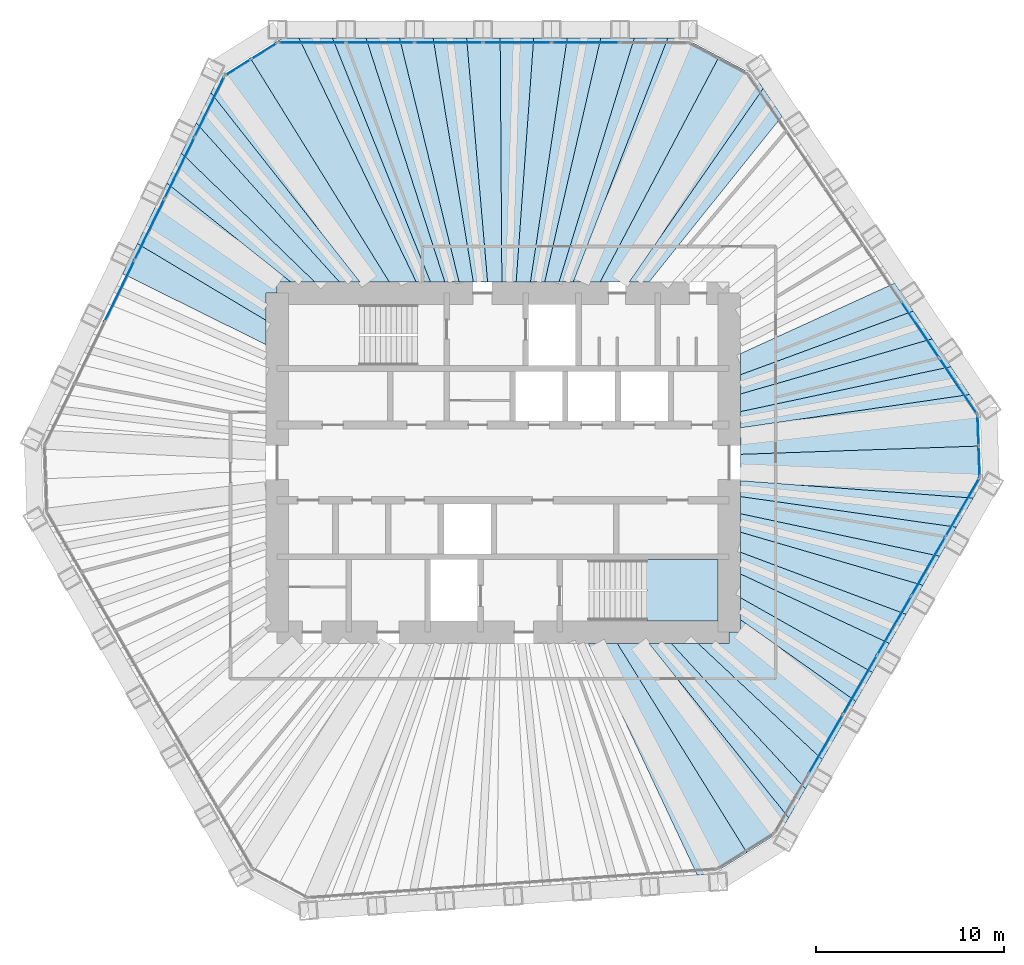
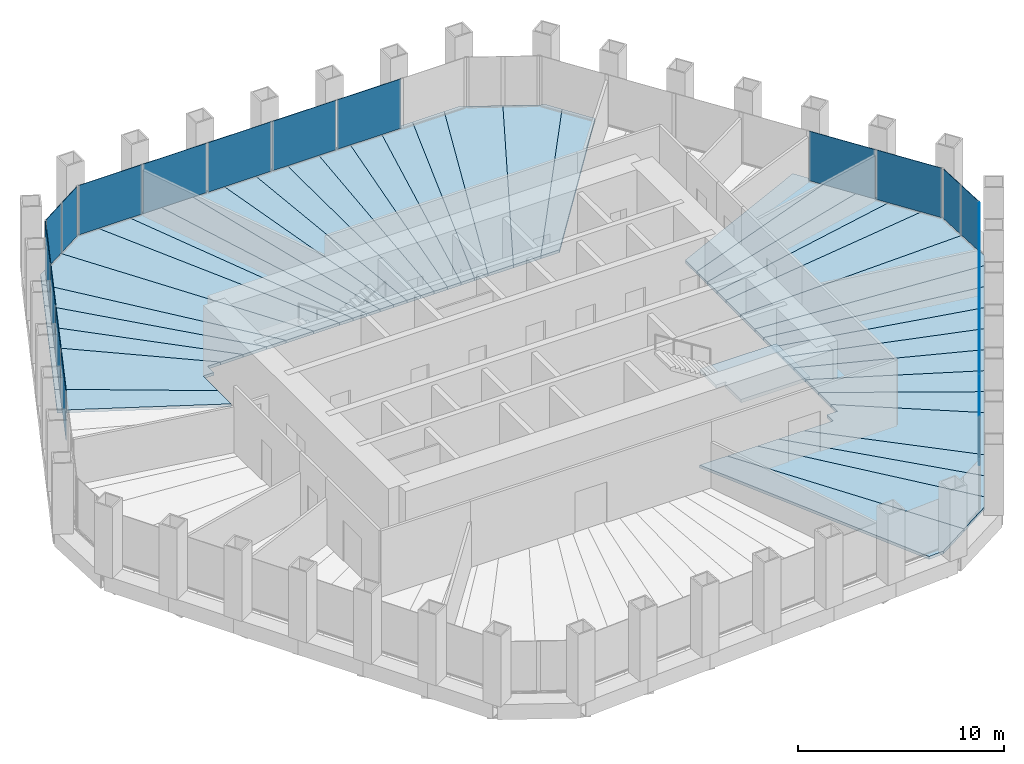
# One storey, part 8 of 12: 40 slabs, 20 plates, 7 elements without a shape of their own.
"""IFC4 building model written with IfcOpenShell, lengths in metres."""

from ifc_helpers import new_model, si_unit, direction, frame, origin, origin_2d, place, context, subcontext, project, spatial, polyline, rectangle, outline, extrude, material, layer, layer_set, type_object, element, aggregate, save


model = new_model("IFC4")

# Units and contexts
model_context = context("Model", 3, precision=1e-05, world=origin(), true_north=direction((0.0, 1.0)))
body_context = subcontext(model_context, "Body", "Model", "MODEL_VIEW")
ifc_project = project(units=[si_unit("LENGTHUNIT", "METRE"), si_unit("AREAUNIT", "SQUARE_METRE"), si_unit("VOLUMEUNIT", "CUBIC_METRE"), si_unit("PLANEANGLEUNIT", "RADIAN"), si_unit("MASSUNIT", "GRAM", prefix="KILO")], contexts=[model_context])

# Site, building, storey
site_placement = place(None, origin())
site = spatial("IfcSite", under=ifc_project, at=site_placement, CompositionType="ELEMENT")
building_placement = place(site_placement, origin())
building = spatial("IfcBuilding", under=site, at=building_placement, Name="Qingtian Harvest Tower", CompositionType="ELEMENT")
storey_placement = place(building_placement, frame((0.0, 0.0, 251.800048828125)))
storey = spatial("IfcBuildingStorey", under=building, at=storey_placement, Name="L55", CompositionType="ELEMENT", Elevation=251.800048828125)

# Slabs
ifc_material_1 = material(Name="Concrete fc' 35 MPa", Category="concrete")
ifc_layer_1 = layer(ifc_material_1, 0.169921875)
ifc_layer_set_1 = layer_set([ifc_layer_1], Name="Composite floor slab FS17 170")
slab_type_1 = type_object("IfcSlabType", Name="Composite floor slab FS17 170", PredefinedType="FLOOR", material=ifc_layer_set_1)
slab_1_placement = place(storey_placement, frame((0.0, 0.0, -0.170166015625)))
element("IfcSlab", 1, at=slab_1_placement, inside=storey, type_object=slab_type_1, Name="Floor slab L55 panel D26", PredefinedType="FLOOR", context=body_context, shape_type="SweptSolid", body=[
    extrude(outline(polyline([(4.5185546875, -9.60009765625), (6.059326171875, -9.60009765625), (12.94140625, -20.70703125), (11.142578125, -21.830810546875), (10.30029296875, -21.889892578125), (4.5185546875, -9.60009765625)])), origin(), (0.0, 0.0, 1.0), 0.170166015625),
])
slab_2_placement = place(storey_placement, frame((0.0, 0.0, -0.170166015625)))
element("IfcSlab", 2, at=slab_2_placement, inside=storey, type_object=slab_type_1, Name="Floor slab L55 panel D27", PredefinedType="FLOOR", context=body_context, shape_type="SweptSolid", body=[
    extrude(outline(polyline([(6.059326171875, -9.60009765625), (7.740966796875, -9.60009765625), (15.159423828125, -18.853271484375), (14.73681640625, -19.5849609375), (12.94140625, -20.70703125), (6.059326171875, -9.60009765625)])), origin(), (0.0, 0.0, 1.0), 0.170166015625),
])
slab_3_placement = place(storey_placement, frame((0.0, 0.0, -0.170166015625)))
element("IfcSlab", 3, at=slab_3_placement, inside=storey, type_object=slab_type_1, Name="Floor slab L55 panel D28", PredefinedType="FLOOR", context=body_context, shape_type="SweptSolid", body=[
    extrude(outline(polyline([(8.929443359375, -9.60009765625), (16.05029296875, -17.31005859375), (15.159423828125, -18.853271484375), (7.740966796875, -9.60009765625), (8.929443359375, -9.60009765625)])), origin(), (0.0, 0.0, 1.0), 0.170166015625),
])
slab_4_placement = place(storey_placement, frame((0.0, 0.0, -0.170166015625)))
element("IfcSlab", 4, at=slab_4_placement, inside=storey, type_object=slab_type_1, Name="Floor slab L55 panel D29", PredefinedType="FLOOR", context=body_context, shape_type="SweptSolid", body=[
    extrude(outline(polyline([(10.35205078125, -9.60009765625), (16.94140625, -15.766845703125), (16.05029296875, -17.31005859375), (8.929443359375, -9.60009765625), (10.35205078125, -9.60009765625)])), origin(), (0.0, 0.0, 1.0), 0.170166015625),
])
slab_5_placement = place(storey_placement, frame((0.0, 0.0, -0.170166015625)))
element("IfcSlab", 5, at=slab_5_placement, inside=storey, type_object=slab_type_1, Name="Floor slab L55 panel D31", PredefinedType="FLOOR", context=body_context, shape_type="SweptSolid", body=[
    extrude(outline(polyline([(12.60009765625, -8.33984375), (18.726806640625, -12.674072265625), (16.94140625, -15.766845703125), (10.35205078125, -9.60009765625), (12.0, -9.60009765625), (12.0, -9.0), (12.60009765625, -9.0), (12.60009765625, -8.33984375)])), origin(), (0.0, 0.0, 1.0), 0.170166015625),
])
slab_6_placement = place(storey_placement, frame((0.0, 0.0, -0.170166015625)))
element("IfcSlab", 6, at=slab_6_placement, inside=storey, type_object=slab_type_1, Name="Floor slab L55 panel D32", PredefinedType="FLOOR", context=body_context, shape_type="SweptSolid", body=[
    extrude(outline(polyline([(12.60009765625, -7.171142578125), (19.61279296875, -11.1396484375), (18.726806640625, -12.674072265625), (12.60009765625, -8.33984375), (12.60009765625, -7.171142578125)])), origin(), (0.0, 0.0, 1.0), 0.170166015625),
])
slab_7_placement = place(storey_placement, frame((0.0, 0.0, -0.170166015625)))
element("IfcSlab", 7, at=slab_7_placement, inside=storey, type_object=slab_type_1, Name="Floor slab L55 panel D33", PredefinedType="FLOOR", context=body_context, shape_type="SweptSolid", body=[
    extrude(outline(polyline([(12.60009765625, -5.91015625), (20.503662109375, -9.5966796875), (19.61279296875, -11.1396484375), (12.60009765625, -7.171142578125), (12.60009765625, -5.91015625)])), origin(), (0.0, 0.0, 1.0), 0.170166015625),
])
slab_8_placement = place(storey_placement, frame((0.0, 0.0, -0.170166015625)))
element("IfcSlab", 8, at=slab_8_placement, inside=storey, type_object=slab_type_1, Name="Floor slab L55 panel D34", PredefinedType="FLOOR", context=body_context, shape_type="SweptSolid", body=[
    extrude(outline(polyline([(12.60009765625, -4.75439453125), (21.39453125, -8.0537109375), (20.503662109375, -9.5966796875), (12.60009765625, -5.91015625), (12.60009765625, -4.75439453125)])), origin(), (0.0, 0.0, 1.0), 0.170166015625),
])
slab_9_placement = place(storey_placement, frame((0.0, 0.0, -0.170166015625)))
element("IfcSlab", 9, at=slab_9_placement, inside=storey, type_object=slab_type_1, Name="Floor slab L55 panel D35", PredefinedType="FLOOR", context=body_context, shape_type="SweptSolid", body=[
    extrude(outline(polyline([(12.60009765625, -3.691162109375), (22.285400390625, -6.5107421875), (21.39453125, -8.0537109375), (12.60009765625, -4.75439453125), (12.60009765625, -3.691162109375)])), origin(), (0.0, 0.0, 1.0), 0.170166015625),
])
slab_10_placement = place(storey_placement, frame((0.0, 0.0, -0.170166015625)))
element("IfcSlab", 10, at=slab_10_placement, inside=storey, type_object=slab_type_1, Name="Floor slab L55 panel D36", PredefinedType="FLOOR", context=body_context, shape_type="SweptSolid", body=[
    extrude(outline(polyline([(12.60009765625, -2.709716796875), (23.17626953125, -4.9677734375), (22.285400390625, -6.5107421875), (12.60009765625, -3.691162109375), (12.60009765625, -2.709716796875)])), origin(), (0.0, 0.0, 1.0), 0.170166015625),
])
slab_11_placement = place(storey_placement, frame((0.0, 0.0, -0.170166015625)))
element("IfcSlab", 11, at=slab_11_placement, inside=storey, type_object=slab_type_1, Name="Floor slab L55 panel D37", PredefinedType="FLOOR", context=body_context, shape_type="SweptSolid", body=[
    extrude(outline(polyline([(12.60009765625, -1.801025390625), (24.06689453125, -3.4248046875), (23.17626953125, -4.9677734375), (12.60009765625, -2.709716796875), (12.60009765625, -1.801025390625)])), origin(), (0.0, 0.0, 1.0), 0.170166015625),
])
slab_12_placement = place(storey_placement, frame((0.0, 0.0, -0.170166015625)))
element("IfcSlab", 12, at=slab_12_placement, inside=storey, type_object=slab_type_1, Name="Floor slab L55 panel D38", PredefinedType="FLOOR", context=body_context, shape_type="SweptSolid", body=[
    extrude(outline(polyline([(12.60009765625, -0.95703125), (24.957763671875, -1.8818359375), (24.06689453125, -3.4248046875), (12.60009765625, -1.801025390625), (12.60009765625, -0.95703125)])), origin(), (0.0, 0.0, 1.0), 0.170166015625),
])
slab_13_placement = place(storey_placement, frame((0.0, 0.0, -0.170166015625)))
element("IfcSlab", 13, at=slab_13_placement, inside=storey, type_object=slab_type_1, Name="Floor slab L55 panel D39", PredefinedType="FLOOR", context=body_context, shape_type="SweptSolid", body=[
    extrude(outline(polyline([(12.60009765625, -0.95703125), (12.60009765625, 0.442626953125), (25.30908203125, 0.884033203125), (25.380126953125, -1.150146484375), (24.957763671875, -1.8818359375), (12.60009765625, -0.95703125)])), origin(), (0.0, 0.0, 1.0), 0.170166015625),
])
slab_14_placement = place(storey_placement, frame((0.0, 0.0, -0.170166015625)))
element("IfcSlab", 14, at=slab_14_placement, inside=storey, type_object=slab_type_1, Name="Floor slab L55 panel D40", PredefinedType="FLOOR", context=body_context, shape_type="SweptSolid", body=[
    extrude(outline(polyline([(12.60009765625, 0.442626953125), (12.60009765625, 1.848876953125), (24.765625, 3.6181640625), (25.238037109375, 2.91796875), (25.30908203125, 0.884033203125), (12.60009765625, 0.442626953125)])), origin(), (0.0, 0.0, 1.0), 0.170166015625),
])
slab_15_placement = place(storey_placement, frame((0.0, 0.0, -0.170166015625)))
element("IfcSlab", 15, at=slab_15_placement, inside=storey, type_object=slab_type_1, Name="Floor slab L55 panel D41", PredefinedType="FLOOR", context=body_context, shape_type="SweptSolid", body=[
    extrude(outline(polyline([(12.60009765625, 2.710205078125), (23.76953125, 5.09521484375), (24.765625, 3.6181640625), (12.60009765625, 1.848876953125), (12.60009765625, 2.710205078125)])), origin(), (0.0, 0.0, 1.0), 0.170166015625),
])
slab_16_placement = place(storey_placement, frame((0.0, 0.0, -0.170166015625)))
element("IfcSlab", 16, at=slab_16_placement, inside=storey, type_object=slab_type_1, Name="Floor slab L55 panel D42", PredefinedType="FLOOR", context=body_context, shape_type="SweptSolid", body=[
    extrude(outline(polyline([(12.60009765625, 3.646728515625), (22.773193359375, 6.572265625), (23.76953125, 5.09521484375), (12.60009765625, 2.710205078125), (12.60009765625, 3.646728515625)])), origin(), (0.0, 0.0, 1.0), 0.170166015625),
])
slab_17_placement = place(storey_placement, frame((0.0, 0.0, -0.170166015625)))
element("IfcSlab", 17, at=slab_17_placement, inside=storey, type_object=slab_type_1, Name="Floor slab L55 panel D43", PredefinedType="FLOOR", context=body_context, shape_type="SweptSolid", body=[
    extrude(outline(polyline([(12.60009765625, 4.669189453125), (21.77685546875, 8.049560546875), (22.773193359375, 6.572265625), (12.60009765625, 3.646728515625), (12.60009765625, 4.669189453125)])), origin(), (0.0, 0.0, 1.0), 0.170166015625),
])
slab_18_placement = place(storey_placement, frame((0.0, 0.0, -0.170166015625)))
element("IfcSlab", 18, at=slab_18_placement, inside=storey, type_object=slab_type_1, Name="Floor slab L55 panel D44", PredefinedType="FLOOR", context=body_context, shape_type="SweptSolid", body=[
    extrude(outline(polyline([(12.60009765625, 5.7900390625), (20.780517578125, 9.526611328125), (21.77685546875, 8.049560546875), (12.60009765625, 4.669189453125), (12.60009765625, 5.7900390625)])), origin(), (0.0, 0.0, 1.0), 0.170166015625),
])
slab_19_placement = place(storey_placement, frame((0.0, 0.0, -0.170166015625)))
element("IfcSlab", 19, at=slab_19_placement, inside=storey, type_object=slab_type_1, Name="Floor slab L55 panel D51", PredefinedType="FLOOR", context=body_context, shape_type="SweptSolid", body=[
    extrude(outline(polyline([(6.6904296875, 9.60009765625), (13.807373046875, 19.86474609375), (14.8037109375, 18.3876953125), (7.751220703125, 9.60009765625), (6.6904296875, 9.60009765625)])), origin(), (0.0, 0.0, 1.0), 0.170166015625),
])
slab_20_placement = place(storey_placement, frame((0.0, 0.0, -0.170166015625)))
element("IfcSlab", 20, at=slab_20_placement, inside=storey, type_object=slab_type_1, Name="Floor slab L55 panel D52", PredefinedType="FLOOR", context=body_context, shape_type="SweptSolid", body=[
    extrude(outline(polyline([(6.6904296875, 9.60009765625), (5.15185546875, 9.60009765625), (11.465087890625, 21.559326171875), (13.334716796875, 20.5654296875), (13.807373046875, 19.86474609375), (6.6904296875, 9.60009765625)])), origin(), (0.0, 0.0, 1.0), 0.170166015625),
])
slab_21_placement = place(storey_placement, frame((0.0, 0.0, -0.170166015625)))
element("IfcSlab", 21, at=slab_21_placement, inside=storey, type_object=slab_type_1, Name="Floor slab L55 panel D53", PredefinedType="FLOOR", context=body_context, shape_type="SweptSolid", body=[
    extrude(outline(polyline([(3.7236328125, 9.60009765625), (8.748291015625, 22.554931640625), (9.5927734375, 22.554931640625), (11.465087890625, 21.559326171875), (5.15185546875, 9.60009765625), (3.7236328125, 9.60009765625)])), origin(), (0.0, 0.0, 1.0), 0.170166015625),
])
slab_22_placement = place(storey_placement, frame((0.0, 0.0, -0.170166015625)))
element("IfcSlab", 22, at=slab_22_placement, inside=storey, type_object=slab_type_1, Name="Floor slab L55 panel D54", PredefinedType="FLOOR", context=body_context, shape_type="SweptSolid", body=[
    extrude(outline(polyline([(2.96533203125, 9.60009765625), (6.966796875, 22.554931640625), (8.748291015625, 22.554931640625), (3.7236328125, 9.60009765625), (2.96533203125, 9.60009765625)])), origin(), (0.0, 0.0, 1.0), 0.170166015625),
])
slab_23_placement = place(storey_placement, frame((0.0, 0.0, -0.170166015625)))
element("IfcSlab", 23, at=slab_23_placement, inside=storey, type_object=slab_type_1, Name="Floor slab L55 panel D55", PredefinedType="FLOOR", context=body_context, shape_type="SweptSolid", body=[
    extrude(outline(polyline([(2.206787109375, 9.60009765625), (5.18505859375, 22.554931640625), (6.966796875, 22.554931640625), (2.96533203125, 9.60009765625), (2.206787109375, 9.60009765625)])), origin(), (0.0, 0.0, 1.0), 0.170166015625),
])
slab_24_placement = place(storey_placement, frame((0.0, 0.0, -0.170166015625)))
element("IfcSlab", 24, at=slab_24_placement, inside=storey, type_object=slab_type_1, Name="Floor slab L55 panel D56", PredefinedType="FLOOR", context=body_context, shape_type="SweptSolid", body=[
    extrude(outline(polyline([(1.448486328125, 9.60009765625), (3.403564453125, 22.554931640625), (5.18505859375, 22.554931640625), (2.206787109375, 9.60009765625), (1.448486328125, 9.60009765625)])), origin(), (0.0, 0.0, 1.0), 0.170166015625),
])
slab_25_placement = place(storey_placement, frame((0.0, 0.0, -0.170166015625)))
element("IfcSlab", 25, at=slab_25_placement, inside=storey, type_object=slab_type_1, Name="Floor slab L55 panel D57", PredefinedType="FLOOR", context=body_context, shape_type="SweptSolid", body=[
    extrude(outline(polyline([(0.690185546875, 9.60009765625), (1.621826171875, 22.554931640625), (3.403564453125, 22.554931640625), (1.448486328125, 9.60009765625), (0.690185546875, 9.60009765625)])), origin(), (0.0, 0.0, 1.0), 0.170166015625),
])
slab_26_placement = place(storey_placement, frame((0.0, 0.0, -0.170166015625)))
element("IfcSlab", 26, at=slab_26_placement, inside=storey, type_object=slab_type_1, Name="Floor slab L55 panel D58", PredefinedType="FLOOR", context=body_context, shape_type="SweptSolid", body=[
    extrude(outline(polyline([(-0.068115234375, 9.60009765625), (-0.159912109375, 22.554931640625), (1.621826171875, 22.554931640625), (0.690185546875, 9.60009765625), (-0.068115234375, 9.60009765625)])), origin(), (0.0, 0.0, 1.0), 0.170166015625),
])
slab_27_placement = place(storey_placement, frame((0.0, 0.0, -0.170166015625)))
element("IfcSlab", 27, at=slab_27_placement, inside=storey, type_object=slab_type_1, Name="Floor slab L55 panel D59", PredefinedType="FLOOR", context=body_context, shape_type="SweptSolid", body=[
    extrude(outline(polyline([(-0.826416015625, 9.60009765625), (-1.94140625, 22.554931640625), (-0.159912109375, 22.554931640625), (-0.068115234375, 9.60009765625), (-0.826416015625, 9.60009765625)])), origin(), (0.0, 0.0, 1.0), 0.170166015625),
])
slab_28_placement = place(storey_placement, frame((0.0, 0.0, -0.170166015625)))
element("IfcSlab", 28, at=slab_28_placement, inside=storey, type_object=slab_type_1, Name="Floor slab L55 panel D60", PredefinedType="FLOOR", context=body_context, shape_type="SweptSolid", body=[
    extrude(outline(polyline([(-1.584716796875, 9.60009765625), (-3.72314453125, 22.554931640625), (-1.94140625, 22.554931640625), (-0.826416015625, 9.60009765625), (-1.584716796875, 9.60009765625)])), origin(), (0.0, 0.0, 1.0), 0.170166015625),
])
slab_29_placement = place(storey_placement, frame((0.0, 0.0, -0.170166015625)))
element("IfcSlab", 29, at=slab_29_placement, inside=storey, type_object=slab_type_1, Name="Floor slab L55 panel D61", PredefinedType="FLOOR", context=body_context, shape_type="SweptSolid", body=[
    extrude(outline(polyline([(-2.343017578125, 9.60009765625), (-5.504638671875, 22.554931640625), (-3.72314453125, 22.554931640625), (-1.584716796875, 9.60009765625), (-2.343017578125, 9.60009765625)])), origin(), (0.0, 0.0, 1.0), 0.170166015625),
])
slab_30_placement = place(storey_placement, frame((0.0, 0.0, -0.170166015625)))
element("IfcSlab", 30, at=slab_30_placement, inside=storey, type_object=slab_type_1, Name="Floor slab L55 panel D62", PredefinedType="FLOOR", context=body_context, shape_type="SweptSolid", body=[
    extrude(outline(polyline([(-3.101318359375, 9.60009765625), (-7.286376953125, 22.554931640625), (-5.504638671875, 22.554931640625), (-2.343017578125, 9.60009765625), (-3.101318359375, 9.60009765625)])), origin(), (0.0, 0.0, 1.0), 0.170166015625),
])
slab_31_placement = place(storey_placement, frame((0.0, 0.0, -0.170166015625)))
element("IfcSlab", 31, at=slab_31_placement, inside=storey, type_object=slab_type_1, Name="Floor slab L55 panel D63", PredefinedType="FLOOR", context=body_context, shape_type="SweptSolid", body=[
    extrude(outline(polyline([(-3.859619140625, 9.60009765625), (-9.06787109375, 22.554931640625), (-7.286376953125, 22.554931640625), (-3.101318359375, 9.60009765625), (-3.859619140625, 9.60009765625)])), origin(), (0.0, 0.0, 1.0), 0.170166015625),
])
slab_32_placement = place(storey_placement, frame((0.0, 0.0, -0.170166015625)))
element("IfcSlab", 32, at=slab_32_placement, inside=storey, type_object=slab_type_1, Name="Floor slab L55 panel D64", PredefinedType="FLOOR", context=body_context, shape_type="SweptSolid", body=[
    extrude(outline(polyline([(-4.617919921875, 9.60009765625), (-10.849609375, 22.554931640625), (-9.06787109375, 22.554931640625), (-3.859619140625, 9.60009765625), (-4.617919921875, 9.60009765625)])), origin(), (0.0, 0.0, 1.0), 0.170166015625),
])
slab_33_placement = place(storey_placement, frame((0.0, 0.0, -0.170166015625)))
element("IfcSlab", 33, at=slab_33_placement, inside=storey, type_object=slab_type_1, Name="Floor slab L55 panel D65", PredefinedType="FLOOR", context=body_context, shape_type="SweptSolid", body=[
    extrude(outline(polyline([(-4.617919921875, 9.60009765625), (-6.050537109375, 9.60009765625), (-13.42138671875, 21.4755859375), (-11.69384765625, 22.554931640625), (-10.849609375, 22.554931640625), (-4.617919921875, 9.60009765625)])), origin(), (0.0, 0.0, 1.0), 0.170166015625),
])
slab_34_placement = place(storey_placement, frame((0.0, 0.0, -0.170166015625)))
element("IfcSlab", 34, at=slab_34_placement, inside=storey, type_object=slab_type_1, Name="Floor slab L55 panel D66", PredefinedType="FLOOR", context=body_context, shape_type="SweptSolid", body=[
    extrude(outline(polyline([(-6.050537109375, 9.60009765625), (-7.60498046875, 9.60009765625), (-15.516357421875, 19.638427734375), (-15.14599609375, 20.39794921875), (-13.42138671875, 21.4755859375), (-6.050537109375, 9.60009765625)])), origin(), (0.0, 0.0, 1.0), 0.170166015625),
])
slab_35_placement = place(storey_placement, frame((0.0, 0.0, -0.170166015625)))
element("IfcSlab", 35, at=slab_35_placement, inside=storey, type_object=slab_type_1, Name="Floor slab L55 panel D67", PredefinedType="FLOOR", context=body_context, shape_type="SweptSolid", body=[
    extrude(outline(polyline([(-8.699951171875, 9.60009765625), (-16.297607421875, 18.036865234375), (-15.516357421875, 19.638427734375), (-7.60498046875, 9.60009765625), (-8.699951171875, 9.60009765625)])), origin(), (0.0, 0.0, 1.0), 0.170166015625),
])
slab_36_placement = place(storey_placement, frame((0.0, 0.0, -0.170166015625)))
element("IfcSlab", 36, at=slab_36_placement, inside=storey, type_object=slab_type_1, Name="Floor slab L55 panel D68", PredefinedType="FLOOR", context=body_context, shape_type="SweptSolid", body=[
    extrude(outline(polyline([(-10.009765625, 9.60009765625), (-17.07861328125, 16.435302734375), (-16.297607421875, 18.036865234375), (-8.699951171875, 9.60009765625), (-10.009765625, 9.60009765625)])), origin(), (0.0, 0.0, 1.0), 0.170166015625),
])
slab_37_placement = place(storey_placement, frame((0.0, 0.0, -0.170166015625)))
element("IfcSlab", 37, at=slab_37_placement, inside=storey, type_object=slab_type_1, Name="Floor slab L55 panel D69", PredefinedType="FLOOR", context=body_context, shape_type="SweptSolid", body=[
    extrude(outline(polyline([(-11.28759765625, 9.60009765625), (-17.855224609375, 14.84326171875), (-17.07861328125, 16.435302734375), (-10.009765625, 9.60009765625), (-11.28759765625, 9.60009765625)])), origin(), (0.0, 0.0, 1.0), 0.170166015625),
])
slab_38_placement = place(storey_placement, frame((0.0, 0.0, -0.170166015625)))
element("IfcSlab", 38, at=slab_38_placement, inside=storey, type_object=slab_type_1, Name="Floor slab L55 panel D70", PredefinedType="FLOOR", context=body_context, shape_type="SweptSolid", body=[
    extrude(outline(polyline([(-12.0, 9.0), (-12.60009765625, 9.0), (-12.60009765625, 7.560302734375), (-19.4208984375, 11.633056640625), (-17.855224609375, 14.84326171875), (-11.28759765625, 9.60009765625), (-12.0, 9.60009765625), (-12.0, 9.0)])), origin(), (0.0, 0.0, 1.0), 0.170166015625),
])
slab_39_placement = place(storey_placement, frame((0.0, 0.0, -0.170166015625)))
element("IfcSlab", 39, at=slab_39_placement, inside=storey, type_object=slab_type_1, Name="Floor slab L55 panel D72", PredefinedType="FLOOR", context=body_context, shape_type="SweptSolid", body=[
    extrude(outline(polyline([(-12.60009765625, 6.268310546875), (-20.201904296875, 10.031494140625), (-19.4208984375, 11.633056640625), (-12.60009765625, 7.560302734375), (-12.60009765625, 6.268310546875)])), origin(), (0.0, 0.0, 1.0), 0.170166015625),
])

# Curtain wall, plates
ifc_material_2 = material(Name="Bronze-anodised aluminium curtain wall", Category="aluminium")
curtain_wall_type = type_object("IfcCurtainWallType", Name="Curtain wall CW4 office", PredefinedType="USERDEFINED", material=ifc_material_2)
curtain_wall_1_placement = place(storey_placement, origin())
curtain_wall_1 = element("IfcCurtainWall", 40, at=curtain_wall_1_placement, inside=storey, type_object=curtain_wall_type, Name="Curtain wall CW4 L55 N0-5", ObjectType="RECESSED CURTAIN WALL", PredefinedType="USERDEFINED")
ifc_material_3 = material(Name="Bronze-tinted laminated insulating glass", Category="glass")
ifc_layer_2 = layer(ifc_material_3, 0.030029296875)
ifc_layer_set_2 = layer_set([ifc_layer_2], Name="Glazed panel CWP tinted IGU")
plate_type = type_object("IfcPlateType", Name="Glazed panel CWP tinted IGU", PredefinedType="CURTAIN_PANEL", material=ifc_layer_set_2)
plate_1_placement = place(storey_placement, frame((-10.138916015625, 22.300048828125, 0.06494140625), z_axis=(0.0, 0.0, 1.0), x_axis=(1.0, 0.0, 0.0)))
plate_1 = element("IfcPlate", 41, at=plate_1_placement, type_object=plate_type, Name="CW4 panel 1.1", PredefinedType="CURTAIN_PANEL", context=body_context, shape_type="SweptSolid", body=[
    extrude(rectangle(XDim=3.5361328125, YDim=0.030029296875, at=origin_2d()), origin(), (0.0, 0.0, 1.0), 2.93505859375),
])
plate_2_placement = place(storey_placement, frame((-6.521728515625, 22.300048828125, 0.06494140625), z_axis=(0.0, 0.0, 1.0), x_axis=(1.0, 0.0, 0.0)))
plate_2 = element("IfcPlate", 42, at=plate_2_placement, type_object=plate_type, Name="CW4 panel 2.1", PredefinedType="CURTAIN_PANEL", context=body_context, shape_type="SweptSolid", body=[
    extrude(rectangle(XDim=3.568603515625, YDim=0.030029296875, at=origin_2d()), origin(), (0.0, 0.0, 1.0), 2.93505859375),
])
plate_3_placement = place(storey_placement, frame((-2.88818359375, 22.300048828125, 0.06494140625), z_axis=(0.0, 0.0, 1.0), x_axis=(1.0, 0.0, 0.0)))
plate_3 = element("IfcPlate", 43, at=plate_3_placement, type_object=plate_type, Name="CW4 panel 3.1", PredefinedType="CURTAIN_PANEL", context=body_context, shape_type="SweptSolid", body=[
    extrude(rectangle(XDim=3.568603515625, YDim=0.030029296875, at=origin_2d()), origin(), (0.0, 0.0, 1.0), 2.93505859375),
])
plate_4_placement = place(storey_placement, frame((0.745361328125, 22.300048828125, 0.06494140625), z_axis=(0.0, 0.0, 1.0), x_axis=(1.0, 0.0, 0.0)))
plate_4 = element("IfcPlate", 44, at=plate_4_placement, type_object=plate_type, Name="CW4 panel 4.1", PredefinedType="CURTAIN_PANEL", context=body_context, shape_type="SweptSolid", body=[
    extrude(rectangle(XDim=3.568603515625, YDim=0.030029296875, at=origin_2d()), origin(), (0.0, 0.0, 1.0), 2.93505859375),
])
plate_5_placement = place(storey_placement, frame((4.37890625, 22.300048828125, 0.06494140625), z_axis=(0.0, 0.0, 1.0), x_axis=(1.0, 0.0, 0.0)))
plate_5 = element("IfcPlate", 45, at=plate_5_placement, type_object=plate_type, Name="CW4 panel 5.1", PredefinedType="CURTAIN_PANEL", context=body_context, shape_type="SweptSolid", body=[
    extrude(rectangle(XDim=3.568603515625, YDim=0.030029296875, at=origin_2d()), origin(), (0.0, 0.0, 1.0), 2.93505859375),
])
aggregate(curtain_wall_1, [plate_1, plate_2, plate_3, plate_4, plate_5])

curtain_wall_2_placement = place(storey_placement, origin())
curtain_wall_2 = element("IfcCurtainWall", 46, at=curtain_wall_2_placement, inside=storey, type_object=curtain_wall_type, Name="Curtain wall CW4 L55 NE0-5", ObjectType="RECESSED CURTAIN WALL", PredefinedType="USERDEFINED")
plate_6_placement = place(storey_placement, frame((22.134521484375, 7.063232421875, 0.06494140625), z_axis=(0.0, 0.0, 1.0), x_axis=(0.559192903471, -0.829037572555, 0.0)))
plate_6 = element("IfcPlate", 47, at=plate_6_placement, type_object=plate_type, Name="CW4 panel 5.1", PredefinedType="CURTAIN_PANEL", context=body_context, shape_type="SweptSolid", body=[
    extrude(rectangle(XDim=3.568603515625, YDim=0.030029296875, at=origin_2d()), origin(), (0.0, 0.0, 1.0), 2.93505859375),
])
plate_7_placement = place(storey_placement, frame((24.1572265625, 4.064453125, 0.06494140625), z_axis=(0.0, 0.0, 1.0), x_axis=(0.559192903471, -0.829037572555, 0.0)))
plate_7 = element("IfcPlate", 48, at=plate_7_placement, type_object=plate_type, Name="CW4 panel 6.1", PredefinedType="CURTAIN_PANEL", context=body_context, shape_type="SweptSolid", body=[
    extrude(rectangle(XDim=3.5361328125, YDim=0.030029296875, at=origin_2d()), origin(), (0.0, 0.0, 1.0), 2.93505859375),
])
aggregate(curtain_wall_2, [plate_6, plate_7])

curtain_wall_3_placement = place(storey_placement, origin())
curtain_wall_3 = element("IfcCurtainWall", 49, at=curtain_wall_3_placement, inside=storey, type_object=curtain_wall_type, Name="Curtain wall CW4 L55 NEC", ObjectType="RECESSED CURTAIN WALL", PredefinedType="USERDEFINED")
plate_8_placement = place(storey_placement, frame((25.2119140625, 1.69677734375, 0.06494140625), z_axis=(0.0, 0.0, 1.0), x_axis=(0.034899496703, -0.999390827019, 0.0)))
plate_8 = element("IfcPlate", 50, at=plate_8_placement, type_object=plate_type, Name="CW4 panel 1.1", PredefinedType="CURTAIN_PANEL", context=body_context, shape_type="SweptSolid", body=[
    extrude(rectangle(XDim=1.56689453125, YDim=0.030029296875, at=origin_2d()), origin(), (0.0, 0.0, 1.0), 2.93505859375),
])
plate_9_placement = place(storey_placement, frame((25.268798828125, 0.06591796875, 0.06494140625), z_axis=(0.0, 0.0, 1.0), x_axis=(0.034899496703, -0.999390827019, 0.0)))
plate_9 = element("IfcPlate", 51, at=plate_9_placement, type_object=plate_type, Name="CW4 panel 2.1", PredefinedType="CURTAIN_PANEL", context=body_context, shape_type="SweptSolid", body=[
    extrude(rectangle(XDim=1.56689453125, YDim=0.030029296875, at=origin_2d()), origin(), (0.0, 0.0, 1.0), 2.93505859375),
])
aggregate(curtain_wall_3, [plate_8, plate_9])

curtain_wall_4_placement = place(storey_placement, origin())
curtain_wall_4 = element("IfcCurtainWall", 52, at=curtain_wall_4_placement, inside=storey, type_object=curtain_wall_type, Name="Curtain wall CW4 L55 SE0-5", ObjectType="RECESSED CURTAIN WALL", PredefinedType="USERDEFINED")
plate_10_placement = place(storey_placement, frame((24.3818359375, -2.369384765625, 0.06494140625), z_axis=(0.0, 0.0, 1.0), x_axis=(-0.5, -0.866025403784, 0.0)))
plate_10 = element("IfcPlate", 53, at=plate_10_placement, type_object=plate_type, Name="CW4 panel 1.1", PredefinedType="CURTAIN_PANEL", context=body_context, shape_type="SweptSolid", body=[
    extrude(rectangle(XDim=3.5361328125, YDim=0.030029296875, at=origin_2d()), origin(), (0.0, 0.0, 1.0), 2.93505859375),
])
plate_11_placement = place(storey_placement, frame((22.5732421875, -5.501953125, 0.06494140625), z_axis=(0.0, 0.0, 1.0), x_axis=(-0.5, -0.866025403784, 0.0)))
plate_11 = element("IfcPlate", 54, at=plate_11_placement, type_object=plate_type, Name="CW4 panel 2.1", PredefinedType="CURTAIN_PANEL", context=body_context, shape_type="SweptSolid", body=[
    extrude(rectangle(XDim=3.568603515625, YDim=0.030029296875, at=origin_2d()), origin(), (0.0, 0.0, 1.0), 2.93505859375),
])
plate_12_placement = place(storey_placement, frame((20.75634765625, -8.64892578125, 0.06494140625), z_axis=(0.0, 0.0, 1.0), x_axis=(-0.5, -0.866025403784, 0.0)))
plate_12 = element("IfcPlate", 55, at=plate_12_placement, type_object=plate_type, Name="CW4 panel 3.1", PredefinedType="CURTAIN_PANEL", context=body_context, shape_type="SweptSolid", body=[
    extrude(rectangle(XDim=3.568603515625, YDim=0.030029296875, at=origin_2d()), origin(), (0.0, 0.0, 1.0), 2.93505859375),
])
plate_13_placement = place(storey_placement, frame((18.939697265625, -11.795654296875, 0.06494140625), z_axis=(0.0, 0.0, 1.0), x_axis=(-0.5, -0.866025403784, 0.0)))
plate_13 = element("IfcPlate", 56, at=plate_13_placement, type_object=plate_type, Name="CW4 panel 4.1", PredefinedType="CURTAIN_PANEL", context=body_context, shape_type="SweptSolid", body=[
    extrude(rectangle(XDim=3.568603515625, YDim=0.030029296875, at=origin_2d()), origin(), (0.0, 0.0, 1.0), 2.93505859375),
])
plate_14_placement = place(storey_placement, frame((17.122802734375, -14.9423828125, 0.06494140625), z_axis=(0.0, 0.0, 1.0), x_axis=(-0.5, -0.866025403784, 0.0)))
plate_14 = element("IfcPlate", 57, at=plate_14_placement, type_object=plate_type, Name="CW4 panel 5.1", PredefinedType="CURTAIN_PANEL", context=body_context, shape_type="SweptSolid", body=[
    extrude(rectangle(XDim=3.568603515625, YDim=0.030029296875, at=origin_2d()), origin(), (0.0, 0.0, 1.0), 2.93505859375),
])
aggregate(curtain_wall_4, [plate_10, plate_11, plate_12, plate_13, plate_14])

curtain_wall_5_placement = place(storey_placement, origin())
curtain_wall_5 = element("IfcCurtainWall", 58, at=curtain_wall_5_placement, inside=storey, type_object=curtain_wall_type, Name="Curtain wall CW4 L55 NW0-5", ObjectType="RECESSED CURTAIN WALL", PredefinedType="USERDEFINED")
plate_15_placement = place(storey_placement, frame((-20.369873046875, 9.105712890625, 0.06494140625), z_axis=(0.0, 0.0, 1.0), x_axis=(0.438371146789, 0.898794046299, 0.0)))
plate_15 = element("IfcPlate", 59, at=plate_15_placement, type_object=plate_type, Name="CW4 panel 3.1", PredefinedType="CURTAIN_PANEL", context=body_context, shape_type="SweptSolid", body=[
    extrude(rectangle(XDim=3.568603515625, YDim=0.030029296875, at=origin_2d()), origin(), (0.0, 0.0, 1.0), 2.93505859375),
])
plate_16_placement = place(storey_placement, frame((-18.777099609375, 12.37158203125, 0.06494140625), z_axis=(0.0, 0.0, 1.0), x_axis=(0.438371146789, 0.898794046299, 0.0)))
plate_16 = element("IfcPlate", 60, at=plate_16_placement, type_object=plate_type, Name="CW4 panel 4.1", PredefinedType="CURTAIN_PANEL", context=body_context, shape_type="SweptSolid", body=[
    extrude(rectangle(XDim=3.568603515625, YDim=0.030029296875, at=origin_2d()), origin(), (0.0, 0.0, 1.0), 2.93505859375),
])
plate_17_placement = place(storey_placement, frame((-17.18408203125, 15.63720703125, 0.06494140625), z_axis=(0.0, 0.0, 1.0), x_axis=(0.438371146789, 0.898794046299, 0.0)))
plate_17 = element("IfcPlate", 61, at=plate_17_placement, type_object=plate_type, Name="CW4 panel 5.1", PredefinedType="CURTAIN_PANEL", context=body_context, shape_type="SweptSolid", body=[
    extrude(rectangle(XDim=3.568603515625, YDim=0.030029296875, at=origin_2d()), origin(), (0.0, 0.0, 1.0), 2.93505859375),
])
plate_18_placement = place(storey_placement, frame((-15.598388671875, 18.888427734375, 0.06494140625), z_axis=(0.0, 0.0, 1.0), x_axis=(0.438371146789, 0.898794046299, 0.0)))
plate_18 = element("IfcPlate", 62, at=plate_18_placement, type_object=plate_type, Name="CW4 panel 6.1", PredefinedType="CURTAIN_PANEL", context=body_context, shape_type="SweptSolid", body=[
    extrude(rectangle(XDim=3.5361328125, YDim=0.030029296875, at=origin_2d()), origin(), (0.0, 0.0, 1.0), 2.93505859375),
])
aggregate(curtain_wall_5, [plate_15, plate_16, plate_17, plate_18])

curtain_wall_6_placement = place(storey_placement, origin())
curtain_wall_6 = element("IfcCurtainWall", 63, at=curtain_wall_6_placement, inside=storey, type_object=curtain_wall_type, Name="Curtain wall CW4 L55 NWC", ObjectType="RECESSED CURTAIN WALL", PredefinedType="USERDEFINED")
plate_19_placement = place(storey_placement, frame((-14.075439453125, 20.985595703125, 0.06494140625), z_axis=(0.0, 0.0, 1.0), x_axis=(0.848048096156, 0.529919264233, 0.0)))
plate_19 = element("IfcPlate", 64, at=plate_19_placement, type_object=plate_type, Name="CW4 panel 1.1", PredefinedType="CURTAIN_PANEL", context=body_context, shape_type="SweptSolid", body=[
    extrude(rectangle(XDim=1.56689453125, YDim=0.030029296875, at=origin_2d()), origin(), (0.0, 0.0, 1.0), 2.93505859375),
])
plate_20_placement = place(storey_placement, frame((-12.69140625, 21.850341796875, 0.06494140625), z_axis=(0.0, 0.0, 1.0), x_axis=(0.848048096156, 0.529919264233, 0.0)))
plate_20 = element("IfcPlate", 65, at=plate_20_placement, type_object=plate_type, Name="CW4 panel 2.1", PredefinedType="CURTAIN_PANEL", context=body_context, shape_type="SweptSolid", body=[
    extrude(rectangle(XDim=1.56689453125, YDim=0.030029296875, at=origin_2d()), origin(), (0.0, 0.0, 1.0), 2.93505859375),
])
aggregate(curtain_wall_6, [plate_19, plate_20])

# Stair, slab
ifc_material_4 = material(Name="Concrete fc' 35 MPa", Category="concrete")
stair_type = type_object("IfcStairType", Name="Special stair ST4 4200", PredefinedType="HALF_TURN_STAIR", material=ifc_material_4)
stair_placement = place(storey_placement, origin())
stair = element("IfcStair", 66, at=stair_placement, inside=storey, type_object=stair_type, Name="Special stair S2 L55", PredefinedType="HALF_TURN_STAIR")
ifc_material_5 = material(Name="Concrete fc' 35 MPa", Category="concrete")
ifc_layer_3 = layer(ifc_material_5, 0.199951171875)
ifc_layer_set_3 = layer_set([ifc_layer_3], Name="Stair landing SL2 200")
slab_type_2 = type_object("IfcSlabType", Name="Stair landing SL2 200", PredefinedType="LANDING", material=ifc_layer_set_3)
slab_40_placement = place(storey_placement, frame((0.0, 0.0, 1.89990234375)))
slab_40 = element("IfcSlab", 67, at=slab_40_placement, type_object=slab_type_2, Name="S2 landing 2", PredefinedType="LANDING", context=body_context, shape_type="SweptSolid", body=[
    extrude(outline(polyline([(7.530029296875, -8.39990234375), (7.530029296875, -6.824951171875), (7.6298828125, -6.824951171875), (7.6298828125, -6.72509765625), (7.094970703125, -6.72509765625), (7.094970703125, -5.14990234375), (11.39990234375, -5.14990234375), (11.39990234375, -8.39990234375), (7.530029296875, -8.39990234375)])), origin(), (0.0, 0.0, 1.0), 0.199951171875),
])
aggregate(stair, [slab_40])

save(model, "model.ifc")
